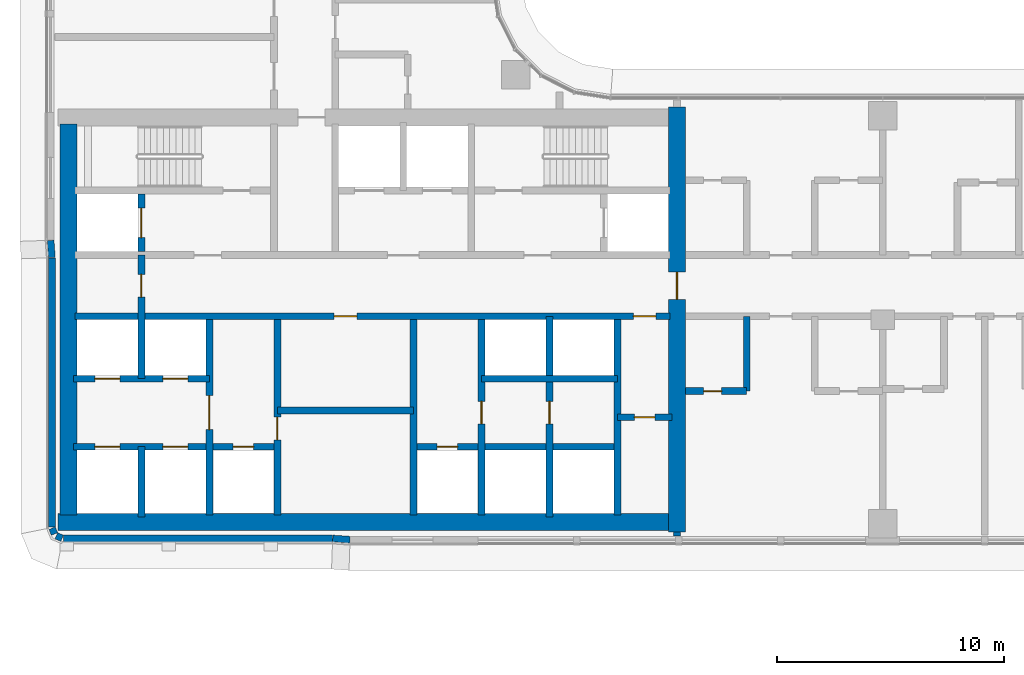
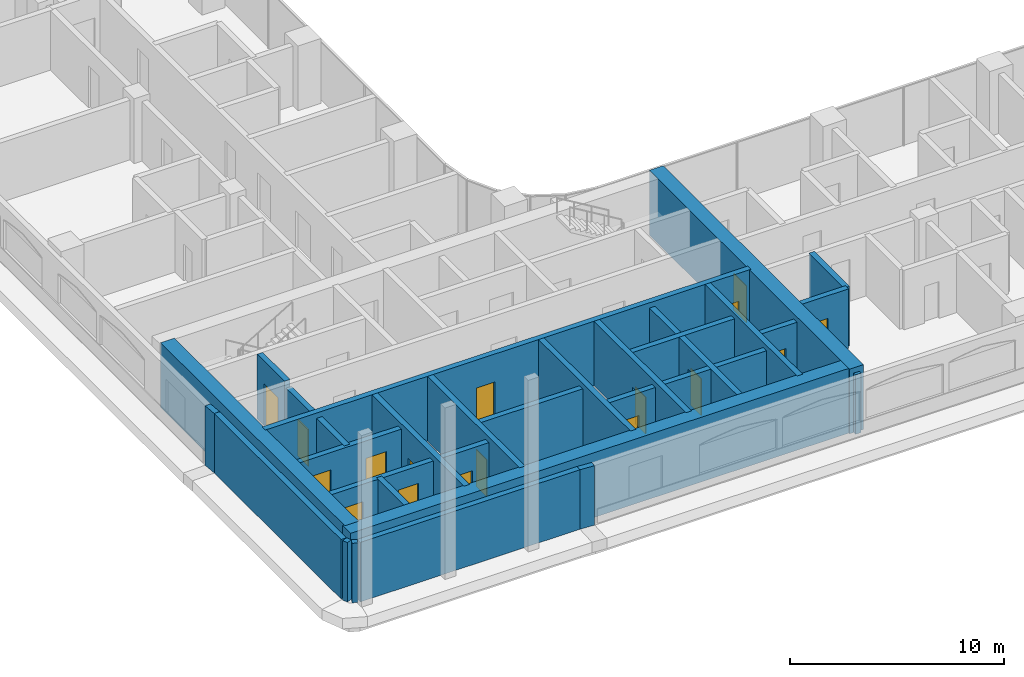
# One storey, part 20 of 40: 28 walls, 17 doors, 17 openings.
"""IFC4 building model written with IfcOpenShell, lengths in metres."""

from ifc_helpers import new_model, si_unit, direction, frame, frame_2d, origin, place, context, subcontext, project, spatial, rectangle, extrude, material, layer, layer_set, type_object, element, fill, save


model = new_model("IFC4")

# Units and contexts
model_context = context("Model", 3, precision=1e-05, world=origin(), true_north=direction((0.0, 1.0)))
body_context = subcontext(model_context, "Body", "Model", "MODEL_VIEW")
ifc_project = project(units=[si_unit("LENGTHUNIT", "METRE"), si_unit("AREAUNIT", "SQUARE_METRE"), si_unit("VOLUMEUNIT", "CUBIC_METRE"), si_unit("PLANEANGLEUNIT", "RADIAN"), si_unit("MASSUNIT", "GRAM", prefix="KILO")], contexts=[model_context])

# Site, building, storey
site_placement = place(None, origin())
site = spatial("IfcSite", under=ifc_project, at=site_placement, CompositionType="ELEMENT")
building_placement = place(site_placement, origin())
building = spatial("IfcBuilding", under=site, at=building_placement, Name="Ogive Portal Towers", CompositionType="ELEMENT")
storey_placement = place(building_placement, frame((0.0, 0.0, 87.10009765625)))
storey = spatial("IfcBuildingStorey", under=building, at=storey_placement, Name="L20", CompositionType="ELEMENT", Elevation=87.10009765625)

# Wall, opening, door
ifc_material_1 = material(Name="Concrete C60/75", Category="concrete")
ifc_layer_1 = layer(ifc_material_1, 0.300048828125)
ifc_layer_set_1 = layer_set([ifc_layer_1], Name="CORE WALL 300 C60")
wall_type_1 = type_object("IfcWallType", Name="CORE WALL 300 C60", PredefinedType="SHEAR", material=ifc_layer_set_1)
wall_1_placement = place(storey_placement, frame((37.800048828125, 21.875, 0.0), z_axis=(0.0, 0.0, 1.0), x_axis=(0.0, 1.0, 0.0)))
wall_1 = element("IfcWall", 1, at=wall_1_placement, inside=storey, type_object=wall_type_1, Name="Core wall X1 L20", PredefinedType="SHEAR", context=body_context, shape_type="SweptSolid", body=[
    extrude(rectangle(XDim=8.625, YDim=0.300048828125, at=frame_2d((4.3125, 0.0))), origin(), (0.0, 0.0, 1.0), 3.699951171875),
])
opening_1_placement = place(wall_1_placement, frame((3.77490234375, 0.0, 0.0)))
opening_1 = element("IfcOpeningElement", 2, at=opening_1_placement, cuts=wall_1, Name="Opening D07-001", PredefinedType="OPENING", context=body_context, shape_type="SweptSolid", body=[
    extrude(rectangle(XDim=1.5, YDim=2.10009765625, at=frame_2d((0.75, 1.050048828125))), frame((0.0, 0.16015625, 0.0), z_axis=(0.0, -1.0, 0.0), x_axis=(1.0, 0.0, 0.0)), (0.0, 0.0, 1.0), 0.320068359375),
])
ifc_material_2 = material(Name="Steel fire door", Category="steel")
door_type_1 = type_object("IfcDoorType", Name="DT-SWING-1500x2100-FD90S", OperationType="SINGLE_SWING_LEFT", PredefinedType="DOOR", material=ifc_material_2)
door_1_placement = place(opening_1_placement, origin())
door_1 = element("IfcDoor", 3, at=door_1_placement, inside=storey, type_object=door_type_1, Name="Door D07-001", OperationType="SINGLE_SWING_LEFT", OverallHeight=2.10009765625, OverallWidth=1.5, PredefinedType="DOOR", context=body_context, shape_type="SweptSolid", body=[
    extrude(rectangle(XDim=1.5, YDim=2.10009765625, at=frame_2d((0.75, 1.050048828125))), frame((0.0, 0.02490234375, 0.0), z_axis=(0.0, -1.0, 0.0), x_axis=(1.0, 0.0, 0.0)), (0.0, 0.0, 1.0), 0.050048828125),
])
fill(opening_1, door_1)

wall_2_placement = place(storey_placement, frame((40.800048828125, 21.875, 0.0), z_axis=(0.0, 0.0, 1.0), x_axis=(0.0, 1.0, 0.0)))
wall_2 = element("IfcWall", 4, at=wall_2_placement, inside=storey, type_object=wall_type_1, Name="Core wall X2 L20", PredefinedType="SHEAR", context=body_context, shape_type="SweptSolid", body=[
    extrude(rectangle(XDim=8.625, YDim=0.300048828125, at=frame_2d((4.3125, 0.0))), origin(), (0.0, 0.0, 1.0), 3.699951171875),
])
opening_2_placement = place(wall_2_placement, frame((3.324951171875, 0.0, 0.0)))
opening_2 = element("IfcOpeningElement", 5, at=opening_2_placement, cuts=wall_2, Name="Opening D07-022", PredefinedType="OPENING", context=body_context, shape_type="SweptSolid", body=[
    extrude(rectangle(XDim=1.0, YDim=2.10009765625, at=frame_2d((0.5, 1.050048828125))), frame((0.0, 0.16015625, 0.0), z_axis=(0.0, -1.0, 0.0), x_axis=(1.0, 0.0, 0.0)), (0.0, 0.0, 1.0), 0.320068359375),
])
door_type_2 = type_object("IfcDoorType", Name="DT-SWING-1000x2100-FD90S", OperationType="SINGLE_SWING_LEFT", PredefinedType="DOOR", material=ifc_material_2)
door_2_placement = place(opening_2_placement, origin())
door_2 = element("IfcDoor", 6, at=door_2_placement, inside=storey, type_object=door_type_2, Name="Door D07-022", OperationType="SINGLE_SWING_RIGHT", OverallHeight=2.10009765625, OverallWidth=1.0, PredefinedType="DOOR", context=body_context, shape_type="SweptSolid", body=[
    extrude(rectangle(XDim=1.0, YDim=2.10009765625, at=frame_2d((0.5, 1.050048828125))), frame((0.0, 0.02490234375, 0.0), z_axis=(0.0, -1.0, 0.0), x_axis=(1.0, 0.0, 0.0)), (0.0, 0.0, 1.0), 0.050048828125),
])
fill(opening_2, door_2)

# Wall
wall_3_placement = place(storey_placement, frame((46.800048828125, 21.875, 0.0), z_axis=(0.0, 0.0, 1.0), x_axis=(0.0, 1.0, 0.0)))
element("IfcWall", 7, at=wall_3_placement, inside=storey, type_object=wall_type_1, Name="Core wall X3 L20", PredefinedType="SHEAR", context=body_context, shape_type="SweptSolid", body=[
    extrude(rectangle(XDim=8.625, YDim=0.300048828125, at=frame_2d((4.3125, 0.0))), origin(), (0.0, 0.0, 1.0), 3.699951171875),
])

# Wall, opening, door
wall_4_placement = place(storey_placement, frame((49.800048828125, 21.875, 0.0), z_axis=(0.0, 0.0, 1.0), x_axis=(0.0, 1.0, 0.0)))
wall_4 = element("IfcWall", 8, at=wall_4_placement, inside=storey, type_object=wall_type_1, Name="Core wall X4 L20", PredefinedType="SHEAR", context=body_context, shape_type="SweptSolid", body=[
    extrude(rectangle(XDim=8.625, YDim=0.300048828125, at=frame_2d((4.3125, 0.0))), origin(), (0.0, 0.0, 1.0), 3.699951171875),
])
opening_3_placement = place(wall_4_placement, frame((4.02490234375, 0.0, 0.0)))
opening_3 = element("IfcOpeningElement", 9, at=opening_3_placement, cuts=wall_4, Name="Opening D07-023", PredefinedType="OPENING", context=body_context, shape_type="SweptSolid", body=[
    extrude(rectangle(XDim=1.0, YDim=2.10009765625, at=frame_2d((0.5, 1.050048828125))), frame((0.0, 0.16015625, 0.0), z_axis=(0.0, -1.0, 0.0), x_axis=(1.0, 0.0, 0.0)), (0.0, 0.0, 1.0), 0.320068359375),
])
door_3_placement = place(opening_3_placement, origin())
door_3 = element("IfcDoor", 10, at=door_3_placement, inside=storey, type_object=door_type_2, Name="Door D07-023", OperationType="SINGLE_SWING_LEFT", OverallHeight=2.10009765625, OverallWidth=1.0, PredefinedType="DOOR", context=body_context, shape_type="SweptSolid", body=[
    extrude(rectangle(XDim=1.0, YDim=2.10009765625, at=frame_2d((0.5, 1.050048828125))), frame((0.0, 0.02490234375, 0.0), z_axis=(0.0, -1.0, 0.0), x_axis=(1.0, 0.0, 0.0)), (0.0, 0.0, 1.0), 0.050048828125),
])
fill(opening_3, door_3)

# Wall
wall_5_placement = place(storey_placement, frame((55.800048828125, 21.875, 0.0), z_axis=(0.0, 0.0, 1.0), x_axis=(0.0, 1.0, 0.0)))
element("IfcWall", 11, at=wall_5_placement, inside=storey, type_object=wall_type_1, Name="Core wall X5 L20", PredefinedType="SHEAR", context=body_context, shape_type="SweptSolid", body=[
    extrude(rectangle(XDim=8.625, YDim=0.300048828125, at=frame_2d((4.3125, 0.0))), origin(), (0.0, 0.0, 1.0), 3.699951171875),
])

# Wall, openings, doors
wall_6_placement = place(storey_placement, frame((31.875, 30.64990234375, 0.0), z_axis=(0.0, 0.0, 1.0), x_axis=(1.0, 0.0, 0.0)))
wall_6 = element("IfcWall", 12, at=wall_6_placement, inside=storey, type_object=wall_type_1, Name="Core wall Y1 L20", PredefinedType="SHEAR", context=body_context, shape_type="SweptSolid", body=[
    extrude(rectangle(XDim=26.25, YDim=0.300048828125, at=frame_2d((13.125, 0.0))), origin(), (0.0, 0.0, 1.0), 3.699951171875),
])
opening_4_placement = place(wall_6_placement, frame((24.625, 0.0, 0.0)))
opening_4 = element("IfcOpeningElement", 13, at=opening_4_placement, cuts=wall_6, Name="Opening D07-009", PredefinedType="OPENING", context=body_context, shape_type="SweptSolid", body=[
    extrude(rectangle(XDim=1.0, YDim=2.10009765625, at=frame_2d((0.5, 1.050048828125))), frame((0.0, 0.16015625, 0.0), z_axis=(0.0, -1.0, 0.0), x_axis=(1.0, 0.0, 0.0)), (0.0, 0.0, 1.0), 0.320068359375),
])
opening_5_placement = place(wall_6_placement, frame((11.425048828125, 0.0, 0.0)))
opening_5 = element("IfcOpeningElement", 14, at=opening_5_placement, cuts=wall_6, Name="Opening D07-021", PredefinedType="OPENING", context=body_context, shape_type="SweptSolid", body=[
    extrude(rectangle(XDim=1.0, YDim=2.10009765625, at=frame_2d((0.5, 1.050048828125))), frame((0.0, 0.16015625, 0.0), z_axis=(0.0, -1.0, 0.0), x_axis=(1.0, 0.0, 0.0)), (0.0, 0.0, 1.0), 0.320068359375),
])
door_4_placement = place(opening_4_placement, origin())
door_4 = element("IfcDoor", 15, at=door_4_placement, inside=storey, type_object=door_type_2, Name="Door D07-009", OperationType="SINGLE_SWING_LEFT", OverallHeight=2.10009765625, OverallWidth=1.0, PredefinedType="DOOR", context=body_context, shape_type="SweptSolid", body=[
    extrude(rectangle(XDim=1.0, YDim=2.10009765625, at=frame_2d((0.5, 1.050048828125))), frame((0.0, 0.02490234375, 0.0), z_axis=(0.0, -1.0, 0.0), x_axis=(1.0, 0.0, 0.0)), (0.0, 0.0, 1.0), 0.050048828125),
])
fill(opening_4, door_4)
door_5_placement = place(opening_5_placement, origin())
door_5 = element("IfcDoor", 16, at=door_5_placement, inside=storey, type_object=door_type_2, Name="Door D07-021", OperationType="SINGLE_SWING_LEFT", OverallHeight=2.10009765625, OverallWidth=1.0, PredefinedType="DOOR", context=body_context, shape_type="SweptSolid", body=[
    extrude(rectangle(XDim=1.0, YDim=2.10009765625, at=frame_2d((0.5, 1.050048828125))), frame((0.0, 0.02490234375, 0.0), z_axis=(0.0, -1.0, 0.0), x_axis=(1.0, 0.0, 0.0)), (0.0, 0.0, 1.0), 0.050048828125),
])
fill(opening_5, door_5)

# Wall, opening, door
wall_7_placement = place(storey_placement, frame((34.800048828125, 33.5, 0.0), z_axis=(0.0, 0.0, 1.0), x_axis=(0.0, 1.0, 0.0)))
wall_7 = element("IfcWall", 17, at=wall_7_placement, inside=storey, type_object=wall_type_1, Name="Core wall X8 L20", PredefinedType="SHEAR", context=body_context, shape_type="SweptSolid", body=[
    extrude(rectangle(XDim=2.550048828125, YDim=0.300048828125, at=frame_2d((1.27490234375, 0.0))), origin(), (0.0, 0.0, 1.0), 3.699951171875),
])
opening_6_placement = place(wall_7_placement, frame((0.625, 0.0, 0.0)))
opening_6 = element("IfcOpeningElement", 18, at=opening_6_placement, cuts=wall_7, Name="Opening D07-019", PredefinedType="OPENING", context=body_context, shape_type="SweptSolid", body=[
    extrude(rectangle(XDim=1.300048828125, YDim=2.39990234375, at=frame_2d((0.64990234375, 1.199951171875))), frame((0.0, 0.16015625, 0.0), z_axis=(0.0, -1.0, 0.0), x_axis=(1.0, 0.0, 0.0)), (0.0, 0.0, 1.0), 0.320068359375),
])
ifc_material_3 = material(Name="Stainless steel", Category="steel")
door_type_3 = type_object("IfcDoorType", Name="DT-LD-1300x2400", OperationType="SLIDING_TO_LEFT", PredefinedType="DOOR", material=ifc_material_3)
door_6_placement = place(opening_6_placement, origin())
door_6 = element("IfcDoor", 19, at=door_6_placement, inside=storey, type_object=door_type_3, Name="Door D07-019", OperationType="SLIDING_TO_LEFT", OverallHeight=2.39990234375, OverallWidth=1.300048828125, PredefinedType="DOOR", context=body_context, shape_type="SweptSolid", body=[
    extrude(rectangle(XDim=1.300048828125, YDim=2.39990234375, at=frame_2d((0.64990234375, 1.199951171875))), frame((0.0, 0.02490234375, 0.0), z_axis=(0.0, -1.0, 0.0), x_axis=(1.0, 0.0, 0.0)), (0.0, 0.0, 1.0), 0.050048828125),
])
fill(opening_6, door_6)

# Walls
ifc_layer_2 = layer(ifc_material_1, 0.75)
ifc_layer_set_2 = layer_set([ifc_layer_2], Name="CORE WALL 750 C60")
wall_type_2 = type_object("IfcWallType", Name="CORE WALL 750 C60", PredefinedType="SHEAR", material=ifc_layer_set_2)
wall_8_placement = place(storey_placement, frame((31.574951171875, 21.875, 0.0), z_axis=(0.0, 0.0, 1.0), x_axis=(0.0, 1.0, 0.0)))
element("IfcWall", 20, at=wall_8_placement, inside=storey, type_object=wall_type_2, Name="Core wall W L20", PredefinedType="SHEAR", context=body_context, shape_type="SweptSolid", body=[
    extrude(rectangle(XDim=17.25, YDim=0.75, at=frame_2d((8.625, 0.0))), origin(), (0.0, 0.0, 1.0), 3.699951171875),
])
wall_9_placement = place(storey_placement, frame((31.125, 21.574951171875, 0.0), z_axis=(0.0, 0.0, 1.0), x_axis=(1.0, 0.0, 0.0)))
element("IfcWall", 21, at=wall_9_placement, inside=storey, type_object=wall_type_2, Name="Core wall S L20", PredefinedType="SHEAR", context=body_context, shape_type="SweptSolid", body=[
    extrude(rectangle(XDim=27.0, YDim=0.75, at=frame_2d((13.5, 0.0))), origin(), (0.0, 0.0, 1.0), 3.699951171875),
])

# Wall, opening, door
wall_10_placement = place(storey_placement, frame((58.425048828125, 21.125, 0.0), z_axis=(0.0, 0.0, 1.0), x_axis=(0.0, 1.0, 0.0)))
wall_10 = element("IfcWall", 22, at=wall_10_placement, inside=storey, type_object=wall_type_2, Name="Core wall E L20", PredefinedType="SHEAR", context=body_context, shape_type="SweptSolid", body=[
    extrude(rectangle(XDim=18.75, YDim=0.75, at=frame_2d((9.375, 0.0))), origin(), (0.0, 0.0, 1.0), 3.699951171875),
])
opening_7_placement = place(wall_10_placement, frame((10.27490234375, 0.0, 0.0)))
opening_7 = element("IfcOpeningElement", 23, at=opening_7_placement, cuts=wall_10, Name="Opening D07-011", PredefinedType="OPENING", context=body_context, shape_type="SweptSolid", body=[
    extrude(rectangle(XDim=1.199951171875, YDim=2.10009765625, at=frame_2d((0.60009765625, 1.050048828125))), frame((0.0, 0.385009765625, 0.0), z_axis=(0.0, -1.0, 0.0), x_axis=(1.0, 0.0, 0.0)), (0.0, 0.0, 1.0), 0.77001953125),
])
door_type_4 = type_object("IfcDoorType", Name="DT-SWING-1200x2100-FD90S", OperationType="SINGLE_SWING_LEFT", PredefinedType="DOOR", material=ifc_material_2)
door_7_placement = place(opening_7_placement, origin())
door_7 = element("IfcDoor", 24, at=door_7_placement, inside=storey, type_object=door_type_4, Name="Door D07-011", OperationType="SINGLE_SWING_LEFT", OverallHeight=2.10009765625, OverallWidth=1.199951171875, PredefinedType="DOOR", context=body_context, shape_type="SweptSolid", body=[
    extrude(rectangle(XDim=1.199951171875, YDim=2.10009765625, at=frame_2d((0.60009765625, 1.050048828125))), frame((0.0, 0.02490234375, 0.0), z_axis=(0.0, -1.0, 0.0), x_axis=(1.0, 0.0, 0.0)), (0.0, 0.0, 1.0), 0.050048828125),
])
fill(opening_7, door_7)

# Walls
ifc_material_4 = material(Name="Limestone cladding on lightweight block wall", Category="masonry")
ifc_layer_3 = layer(ifc_material_4, 0.300048828125)
ifc_layer_set_3 = layer_set([ifc_layer_3], Name="EXTERNAL WALL 300 STONE")
wall_type_3 = type_object("IfcWallType", Name="EXTERNAL WALL 300 STONE", PredefinedType="SOLIDWALL", material=ifc_layer_set_3)
wall_11_placement = place(storey_placement, frame((30.85009765625, 33.23095703125, 0.0), z_axis=(0.0, 0.0, 1.0), x_axis=(0.0, -1.0, 0.0)))
element("IfcWall", 25, at=wall_11_placement, inside=storey, type_object=wall_type_3, Name="A:L20:f00:r0:wall", PredefinedType="SOLIDWALL", context=body_context, shape_type="SweptSolid", body=[
    extrude(rectangle(XDim=11.871337890625, YDim=0.300048828125, at=frame_2d((5.935546875, 0.0))), origin(), (0.0, 0.0, 1.0), 3.39990234375),
])
for number, where, z_axis, x_axis, name in (
    (26, (30.861328125, 21.30224609375, 0.0), (0.0, 0.0, 1.0), (0.38297812142, -0.923757413239, 0.0), "A:L20:f01:r0:wall"),
    (27, (31.0478515625, 20.966796875, 0.0), (0.0, 0.0, 1.0), (0.923757413239, -0.38297812142, 0.0), "A:L20:f02:r0:wall"),
):
    element("IfcWall", number, at=place(storey_placement, frame(where, z_axis=z_axis, x_axis=x_axis)), inside=storey, type_object=wall_type_3, Name=name, PredefinedType="SOLIDWALL", context=body_context, shape_type="SweptSolid", body=[
        extrude(rectangle(XDim=0.275390625, YDim=0.300048828125, at=frame_2d((0.1376953125, 0.0))), origin(), (0.0, 0.0, 1.0), 3.39990234375),
    ])
wall_12_placement = place(storey_placement, frame((31.359619140625, 20.85009765625, 0.0), z_axis=(0.0, 0.0, 1.0), x_axis=(1.0, 0.0, 0.0)))
element("IfcWall", 28, at=wall_12_placement, inside=storey, type_object=wall_type_3, Name="A:L20:f03:r0:wall", PredefinedType="SOLIDWALL", context=body_context, shape_type="SweptSolid", body=[
    extrude(rectangle(XDim=11.871337890625, YDim=0.300048828125, at=frame_2d((5.935546875, 0.0))), origin(), (0.0, 0.0, 1.0), 3.39990234375),
])
for number, where, z_axis, x_axis, name in (
    (29, (43.24169921875, 20.849609375, 0.0), (0.0, 0.0, 1.0), (0.997455438499, -0.07129269393, 0.0), "A:L20:f04:r0:wall"),
    (30, (30.79541015625, 34.0, 0.0), (0.0, 0.0, 1.0), (0.07129269393, -0.997455438499, 0.0), "A:L20:f25:r0:wall"),
):
    element("IfcWall", number, at=place(storey_placement, frame(where, z_axis=z_axis, x_axis=x_axis)), inside=storey, type_object=wall_type_3, Name=name, PredefinedType="SOLIDWALL", context=body_context, shape_type="SweptSolid", body=[
        extrude(rectangle(XDim=0.76025390625, YDim=0.300048828125, at=frame_2d((0.380126953125, 0.0))), origin(), (0.0, 0.0, 1.0), 3.39990234375),
    ])

# Wall, opening, door
ifc_material_5 = material(Name="Gypsum board partition on steel studs", Category="steel")
ifc_layer_4 = layer(ifc_material_5, 0.300048828125)
ifc_layer_set_4 = layer_set([ifc_layer_4], Name="WT-PART-300")
wall_type_4 = type_object("IfcWallType", Name="WT-PART-300", PredefinedType="PARTITIONING", material=ifc_layer_set_4)
wall_13_placement = place(storey_placement, frame((55.800048828125, 26.199951171875, 0.0), z_axis=(0.0, 0.0, 1.0), x_axis=(1.0, 0.0, 0.0)))
wall_13 = element("IfcWall", 31, at=wall_13_placement, inside=storey, type_object=wall_type_4, Name="Wall pw:003:L20", PredefinedType="PARTITIONING", context=body_context, shape_type="SweptSolid", body=[
    extrude(rectangle(XDim=2.39990234375, YDim=0.300048828125, at=frame_2d((1.199951171875, 0.0))), origin(), (0.0, 0.0, 1.0), 3.39990234375),
])
opening_8_placement = place(wall_13_placement, frame((0.75, 0.0, 0.0)))
opening_8 = element("IfcOpeningElement", 32, at=opening_8_placement, cuts=wall_13, Name="Opening D07-010", PredefinedType="OPENING", context=body_context, shape_type="SweptSolid", body=[
    extrude(rectangle(XDim=0.89990234375, YDim=2.10009765625, at=frame_2d((0.449951171875, 1.050048828125))), frame((0.0, 0.16015625, 0.0), z_axis=(0.0, -1.0, 0.0), x_axis=(1.0, 0.0, 0.0)), (0.0, 0.0, 1.0), 0.320068359375),
])
door_type_5 = type_object("IfcDoorType", Name="DT-SWING-900x2100-FD60S", OperationType="SINGLE_SWING_LEFT", PredefinedType="DOOR", material=ifc_material_2)
door_8_placement = place(opening_8_placement, origin())
door_8 = element("IfcDoor", 33, at=door_8_placement, inside=storey, type_object=door_type_5, Name="Door D07-010", OperationType="SINGLE_SWING_RIGHT", OverallHeight=2.10009765625, OverallWidth=0.89990234375, PredefinedType="DOOR", context=body_context, shape_type="SweptSolid", body=[
    extrude(rectangle(XDim=0.89990234375, YDim=2.10009765625, at=frame_2d((0.449951171875, 1.050048828125))), frame((0.0, 0.02490234375, 0.0), z_axis=(0.0, -1.0, 0.0), x_axis=(1.0, 0.0, 0.0)), (0.0, 0.0, 1.0), 0.050048828125),
])
fill(opening_8, door_8)

# Walls
wall_14_placement = place(storey_placement, frame((40.800048828125, 26.5, 0.0), z_axis=(0.0, 0.0, 1.0), x_axis=(1.0, 0.0, 0.0)))
element("IfcWall", 34, at=wall_14_placement, inside=storey, type_object=wall_type_4, Name="Wall pw:004:L20", PredefinedType="PARTITIONING", context=body_context, shape_type="SweptSolid", body=[
    extrude(rectangle(XDim=6.0, YDim=0.300048828125, at=frame_2d((3.0, 0.0))), origin(), (0.0, 0.0, 1.0), 3.39990234375),
])
ifc_layer_5 = layer(ifc_material_5, 0.300048828125)
ifc_layer_set_5 = layer_set([ifc_layer_5], Name="WT-PART-300-EI 120")
wall_type_5 = type_object("IfcWallType", Name="WT-PART-300-EI 120", PredefinedType="PARTITIONING", material=ifc_layer_set_5)
wall_15_placement = place(storey_placement, frame((58.425048828125, 21.125, 0.0), z_axis=(0.0, 0.0, 1.0), x_axis=(0.0, -1.0, 0.0)))
element("IfcWall", 35, at=wall_15_placement, inside=storey, type_object=wall_type_5, Name="Wall L20:wc01", PredefinedType="PARTITIONING", context=body_context, shape_type="SweptSolid", body=[
    extrude(rectangle(XDim=0.169921875, YDim=0.300048828125, at=frame_2d((0.0849609375, 0.0))), origin(), (0.0, 0.0, 1.0), 3.39990234375),
])

# Wall, opening, door
ifc_layer_6 = layer(ifc_material_5, 0.300048828125)
ifc_layer_set_6 = layer_set([ifc_layer_6], Name="WT-PART-300-EI 60")
wall_type_6 = type_object("IfcWallType", Name="WT-PART-300-EI 60", PredefinedType="PARTITIONING", material=ifc_layer_set_6)
wall_16_placement = place(storey_placement, frame((58.800048828125, 27.35009765625, 0.0), z_axis=(0.0, 0.0, 1.0), x_axis=(1.0, 0.0, 0.0)))
wall_16 = element("IfcWall", 36, at=wall_16_placement, inside=storey, type_object=wall_type_6, Name="Wall L20:w002", PredefinedType="PARTITIONING", context=body_context, shape_type="SweptSolid", body=[
    extrude(rectangle(XDim=2.699951171875, YDim=0.300048828125, at=frame_2d((1.35009765625, 0.0))), origin(), (0.0, 0.0, 1.0), 3.39990234375),
])
opening_9_placement = place(wall_16_placement, frame((0.800048828125, 0.0, 0.0)))
opening_9 = element("IfcOpeningElement", 37, at=opening_9_placement, cuts=wall_16, Name="Opening D07-029", PredefinedType="OPENING", context=body_context, shape_type="SweptSolid", body=[
    extrude(rectangle(XDim=0.800048828125, YDim=2.10009765625, at=frame_2d((0.39990234375, 1.050048828125))), frame((0.0, 0.16015625, 0.0), z_axis=(0.0, -1.0, 0.0), x_axis=(1.0, 0.0, 0.0)), (0.0, 0.0, 1.0), 0.320068359375),
])
door_type_6 = type_object("IfcDoorType", Name="DT-BATH-800x2100-FD60S", OperationType="SINGLE_SWING_LEFT", PredefinedType="DOOR", material=ifc_material_2)
door_9_placement = place(opening_9_placement, origin())
door_9 = element("IfcDoor", 38, at=door_9_placement, inside=storey, type_object=door_type_6, Name="Door D07-029", OperationType="SINGLE_SWING_LEFT", OverallHeight=2.10009765625, OverallWidth=0.800048828125, PredefinedType="DOOR", context=body_context, shape_type="SweptSolid", body=[
    extrude(rectangle(XDim=0.800048828125, YDim=2.10009765625, at=frame_2d((0.39990234375, 1.050048828125))), frame((0.0, 0.02490234375, 0.0), z_axis=(0.0, -1.0, 0.0), x_axis=(1.0, 0.0, 0.0)), (0.0, 0.0, 1.0), 0.050048828125),
])
fill(opening_9, door_9)

# Wall
wall_17_placement = place(storey_placement, frame((61.5, 27.35009765625, 0.0), z_axis=(0.0, 0.0, 1.0), x_axis=(0.0, 1.0, 0.0)))
element("IfcWall", 39, at=wall_17_placement, inside=storey, type_object=wall_type_6, Name="Wall L20:w044", PredefinedType="PARTITIONING", context=body_context, shape_type="SweptSolid", body=[
    extrude(rectangle(XDim=3.2998046875, YDim=0.300048828125, at=frame_2d((1.64990234375, 0.0))), origin(), (0.0, 0.0, 1.0), 3.39990234375),
])

# Wall, openings, doors
ifc_material_6 = material(Name="Concrete C40/50", Category="concrete")
ifc_layer_7 = layer(ifc_material_6, 0.300048828125)
ifc_layer_set_7 = layer_set([ifc_layer_7], Name="WT-SHAFT-300")
wall_type_7 = type_object("IfcWallType", Name="WT-SHAFT-300", PredefinedType="SOLIDWALL", material=ifc_layer_set_7)
wall_18_placement = place(storey_placement, frame((31.800048828125, 24.89990234375, 0.0), z_axis=(0.0, 0.0, 1.0), x_axis=(1.0, 0.0, 0.0)))
wall_18 = element("IfcWall", 40, at=wall_18_placement, inside=storey, type_object=wall_type_7, Name="Wall pw:001:L20", PredefinedType="SOLIDWALL", context=body_context, shape_type="SweptSolid", body=[
    extrude(rectangle(XDim=9.0, YDim=0.300048828125, at=frame_2d((4.5, 0.0))), origin(), (0.0, 0.0, 1.0), 3.39990234375),
])
opening_10_placement = place(wall_18_placement, frame((7.050048828125, 0.0, 0.0)))
opening_10 = element("IfcOpeningElement", 41, at=opening_10_placement, cuts=wall_18, Name="Opening D07-007", PredefinedType="OPENING", context=body_context, shape_type="SweptSolid", body=[
    extrude(rectangle(XDim=0.89990234375, YDim=2.10009765625, at=frame_2d((0.449951171875, 1.050048828125))), frame((0.0, 0.16015625, 0.0), z_axis=(0.0, -1.0, 0.0), x_axis=(1.0, 0.0, 0.0)), (0.0, 0.0, 1.0), 0.320068359375),
])
opening_11_placement = place(wall_18_placement, frame((0.949951171875, 0.0, 0.0)))
opening_11 = element("IfcOpeningElement", 42, at=opening_11_placement, cuts=wall_18, Name="Opening D07-013", PredefinedType="OPENING", context=body_context, shape_type="SweptSolid", body=[
    extrude(rectangle(XDim=1.10009765625, YDim=2.39990234375, at=frame_2d((0.550048828125, 1.199951171875))), frame((0.0, 0.16015625, 0.0), z_axis=(0.0, -1.0, 0.0), x_axis=(1.0, 0.0, 0.0)), (0.0, 0.0, 1.0), 0.320068359375),
])
opening_12_placement = place(wall_18_placement, frame((3.949951171875, 0.0, 0.0)))
opening_12 = element("IfcOpeningElement", 43, at=opening_12_placement, cuts=wall_18, Name="Opening D07-014", PredefinedType="OPENING", context=body_context, shape_type="SweptSolid", body=[
    extrude(rectangle(XDim=1.10009765625, YDim=2.39990234375, at=frame_2d((0.550048828125, 1.199951171875))), frame((0.0, 0.16015625, 0.0), z_axis=(0.0, -1.0, 0.0), x_axis=(1.0, 0.0, 0.0)), (0.0, 0.0, 1.0), 0.320068359375),
])
door_type_7 = type_object("IfcDoorType", Name="DT-LD-1100x2400", OperationType="SLIDING_TO_LEFT", PredefinedType="DOOR", material=ifc_material_3)
door_10_placement = place(opening_11_placement, origin())
door_10 = element("IfcDoor", 44, at=door_10_placement, inside=storey, type_object=door_type_7, Name="Door D07-013", OperationType="SLIDING_TO_LEFT", OverallHeight=2.39990234375, OverallWidth=1.10009765625, PredefinedType="DOOR", context=body_context, shape_type="SweptSolid", body=[
    extrude(rectangle(XDim=1.10009765625, YDim=2.39990234375, at=frame_2d((0.550048828125, 1.199951171875))), frame((0.0, 0.02490234375, 0.0), z_axis=(0.0, -1.0, 0.0), x_axis=(1.0, 0.0, 0.0)), (0.0, 0.0, 1.0), 0.050048828125),
])
fill(opening_11, door_10)
door_11_placement = place(opening_12_placement, origin())
door_11 = element("IfcDoor", 45, at=door_11_placement, inside=storey, type_object=door_type_7, Name="Door D07-014", OperationType="SLIDING_TO_LEFT", OverallHeight=2.39990234375, OverallWidth=1.10009765625, PredefinedType="DOOR", context=body_context, shape_type="SweptSolid", body=[
    extrude(rectangle(XDim=1.10009765625, YDim=2.39990234375, at=frame_2d((0.550048828125, 1.199951171875))), frame((0.0, 0.02490234375, 0.0), z_axis=(0.0, -1.0, 0.0), x_axis=(1.0, 0.0, 0.0)), (0.0, 0.0, 1.0), 0.050048828125),
])
fill(opening_12, door_11)
door_type_8 = type_object("IfcDoorType", Name="DT-SWING-900x2100-FD90S", OperationType="SINGLE_SWING_LEFT", PredefinedType="DOOR", material=ifc_material_2)
door_12_placement = place(opening_10_placement, origin())
door_12 = element("IfcDoor", 46, at=door_12_placement, inside=storey, type_object=door_type_8, Name="Riser access door D07-007", OperationType="SINGLE_SWING_LEFT", OverallHeight=2.10009765625, OverallWidth=0.89990234375, PredefinedType="DOOR", context=body_context, shape_type="SweptSolid", body=[
    extrude(rectangle(XDim=0.89990234375, YDim=2.10009765625, at=frame_2d((0.449951171875, 1.050048828125))), frame((0.0, 0.02490234375, 0.0), z_axis=(0.0, -1.0, 0.0), x_axis=(1.0, 0.0, 0.0)), (0.0, 0.0, 1.0), 0.050048828125),
])
fill(opening_10, door_12)

# Wall, opening, door
wall_19_placement = place(storey_placement, frame((46.800048828125, 24.89990234375, 0.0), z_axis=(0.0, 0.0, 1.0), x_axis=(1.0, 0.0, 0.0)))
wall_19 = element("IfcWall", 47, at=wall_19_placement, inside=storey, type_object=wall_type_7, Name="Wall pw:002:L20", PredefinedType="SOLIDWALL", context=body_context, shape_type="SweptSolid", body=[
    extrude(rectangle(XDim=9.0, YDim=0.300048828125, at=frame_2d((4.5, 0.0))), origin(), (0.0, 0.0, 1.0), 3.39990234375),
])
opening_13_placement = place(wall_19_placement, frame((1.050048828125, 0.0, 0.0)))
opening_13 = element("IfcOpeningElement", 48, at=opening_13_placement, cuts=wall_19, Name="Opening D07-008", PredefinedType="OPENING", context=body_context, shape_type="SweptSolid", body=[
    extrude(rectangle(XDim=0.89990234375, YDim=2.10009765625, at=frame_2d((0.449951171875, 1.050048828125))), frame((0.0, 0.16015625, 0.0), z_axis=(0.0, -1.0, 0.0), x_axis=(1.0, 0.0, 0.0)), (0.0, 0.0, 1.0), 0.320068359375),
])
door_13_placement = place(opening_13_placement, origin())
door_13 = element("IfcDoor", 49, at=door_13_placement, inside=storey, type_object=door_type_8, Name="Riser access door D07-008", OperationType="SINGLE_SWING_RIGHT", OverallHeight=2.10009765625, OverallWidth=0.89990234375, PredefinedType="DOOR", context=body_context, shape_type="SweptSolid", body=[
    extrude(rectangle(XDim=0.89990234375, YDim=2.10009765625, at=frame_2d((0.449951171875, 1.050048828125))), frame((0.0, 0.02490234375, 0.0), z_axis=(0.0, -1.0, 0.0), x_axis=(1.0, 0.0, 0.0)), (0.0, 0.0, 1.0), 0.050048828125),
])
fill(opening_13, door_13)

# Wall, openings, doors
wall_20_placement = place(storey_placement, frame((31.800048828125, 27.89990234375, 0.0), z_axis=(0.0, 0.0, 1.0), x_axis=(1.0, 0.0, 0.0)))
wall_20 = element("IfcWall", 50, at=wall_20_placement, inside=storey, type_object=wall_type_7, Name="Wall pw:005:L20", PredefinedType="SOLIDWALL", context=body_context, shape_type="SweptSolid", body=[
    extrude(rectangle(XDim=6.0, YDim=0.300048828125, at=frame_2d((3.0, 0.0))), origin(), (0.0, 0.0, 1.0), 3.39990234375),
])
opening_14_placement = place(wall_20_placement, frame((0.949951171875, 0.0, 0.0)))
opening_14 = element("IfcOpeningElement", 51, at=opening_14_placement, cuts=wall_20, Name="Opening D07-015", PredefinedType="OPENING", context=body_context, shape_type="SweptSolid", body=[
    extrude(rectangle(XDim=1.10009765625, YDim=2.39990234375, at=frame_2d((0.550048828125, 1.199951171875))), frame((0.0, 0.16015625, 0.0), z_axis=(0.0, -1.0, 0.0), x_axis=(1.0, 0.0, 0.0)), (0.0, 0.0, 1.0), 0.320068359375),
])
opening_15_placement = place(wall_20_placement, frame((3.949951171875, 0.0, 0.0)))
opening_15 = element("IfcOpeningElement", 52, at=opening_15_placement, cuts=wall_20, Name="Opening D07-016", PredefinedType="OPENING", context=body_context, shape_type="SweptSolid", body=[
    extrude(rectangle(XDim=1.10009765625, YDim=2.39990234375, at=frame_2d((0.550048828125, 1.199951171875))), frame((0.0, 0.16015625, 0.0), z_axis=(0.0, -1.0, 0.0), x_axis=(1.0, 0.0, 0.0)), (0.0, 0.0, 1.0), 0.320068359375),
])
door_14_placement = place(opening_14_placement, origin())
door_14 = element("IfcDoor", 53, at=door_14_placement, inside=storey, type_object=door_type_7, Name="Door D07-015", OperationType="SLIDING_TO_LEFT", OverallHeight=2.39990234375, OverallWidth=1.10009765625, PredefinedType="DOOR", context=body_context, shape_type="SweptSolid", body=[
    extrude(rectangle(XDim=1.10009765625, YDim=2.39990234375, at=frame_2d((0.550048828125, 1.199951171875))), frame((0.0, 0.02490234375, 0.0), z_axis=(0.0, -1.0, 0.0), x_axis=(1.0, 0.0, 0.0)), (0.0, 0.0, 1.0), 0.050048828125),
])
fill(opening_14, door_14)
door_15_placement = place(opening_15_placement, origin())
door_15 = element("IfcDoor", 54, at=door_15_placement, inside=storey, type_object=door_type_7, Name="Door D07-016", OperationType="SLIDING_TO_LEFT", OverallHeight=2.39990234375, OverallWidth=1.10009765625, PredefinedType="DOOR", context=body_context, shape_type="SweptSolid", body=[
    extrude(rectangle(XDim=1.10009765625, YDim=2.39990234375, at=frame_2d((0.550048828125, 1.199951171875))), frame((0.0, 0.02490234375, 0.0), z_axis=(0.0, -1.0, 0.0), x_axis=(1.0, 0.0, 0.0)), (0.0, 0.0, 1.0), 0.050048828125),
])
fill(opening_15, door_15)

# Walls
wall_21_placement = place(storey_placement, frame((49.800048828125, 27.89990234375, 0.0), z_axis=(0.0, 0.0, 1.0), x_axis=(1.0, 0.0, 0.0)))
element("IfcWall", 55, at=wall_21_placement, inside=storey, type_object=wall_type_7, Name="Wall pw:006:L20", PredefinedType="SOLIDWALL", context=body_context, shape_type="SweptSolid", body=[
    extrude(rectangle(XDim=6.0, YDim=0.300048828125, at=frame_2d((3.0, 0.0))), origin(), (0.0, 0.0, 1.0), 3.39990234375),
])
wall_22_placement = place(storey_placement, frame((34.800048828125, 21.800048828125, 0.0), z_axis=(0.0, 0.0, 1.0), x_axis=(0.0, 1.0, 0.0)))
element("IfcWall", 56, at=wall_22_placement, inside=storey, type_object=wall_type_7, Name="Wall pw:007:L20", PredefinedType="SOLIDWALL", context=body_context, shape_type="SweptSolid", body=[
    extrude(rectangle(XDim=3.099853515625, YDim=0.300048828125, at=frame_2d((1.5498046875, 0.0))), origin(), (0.0, 0.0, 1.0), 3.39990234375),
])

# Wall, opening, door
wall_23_placement = place(storey_placement, frame((34.800048828125, 27.89990234375, 0.0), z_axis=(0.0, 0.0, 1.0), x_axis=(0.0, 1.0, 0.0)))
wall_23 = element("IfcWall", 57, at=wall_23_placement, inside=storey, type_object=wall_type_7, Name="Wall pw:008:L20", PredefinedType="SOLIDWALL", context=body_context, shape_type="SweptSolid", body=[
    extrude(rectangle(XDim=5.4501953125, YDim=0.300048828125, at=frame_2d((2.72509765625, 0.0))), origin(), (0.0, 0.0, 1.0), 3.39990234375),
])
opening_16_placement = place(wall_23_placement, frame((3.60009765625, 0.0, 0.0)))
opening_16 = element("IfcOpeningElement", 58, at=opening_16_placement, cuts=wall_23, Name="Opening D07-025", PredefinedType="OPENING", context=body_context, shape_type="SweptSolid", body=[
    extrude(rectangle(XDim=1.0, YDim=2.10009765625, at=frame_2d((0.5, 1.050048828125))), frame((0.0, 0.16015625, 0.0), z_axis=(0.0, -1.0, 0.0), x_axis=(1.0, 0.0, 0.0)), (0.0, 0.0, 1.0), 0.320068359375),
])
door_16_placement = place(opening_16_placement, origin())
door_16 = element("IfcDoor", 59, at=door_16_placement, inside=storey, type_object=door_type_2, Name="Door D07-025", OperationType="SINGLE_SWING_LEFT", OverallHeight=2.10009765625, OverallWidth=1.0, PredefinedType="DOOR", context=body_context, shape_type="SweptSolid", body=[
    extrude(rectangle(XDim=1.0, YDim=2.10009765625, at=frame_2d((0.5, 1.050048828125))), frame((0.0, 0.02490234375, 0.0), z_axis=(0.0, -1.0, 0.0), x_axis=(1.0, 0.0, 0.0)), (0.0, 0.0, 1.0), 0.050048828125),
])
fill(opening_16, door_16)

wall_24_placement = place(storey_placement, frame((52.800048828125, 21.800048828125, 0.0), z_axis=(0.0, 0.0, 1.0), x_axis=(0.0, 1.0, 0.0)))
wall_24 = element("IfcWall", 60, at=wall_24_placement, inside=storey, type_object=wall_type_7, Name="Wall pw:010:L20", PredefinedType="SOLIDWALL", context=body_context, shape_type="SweptSolid", body=[
    extrude(rectangle(XDim=8.849853515625, YDim=0.300048828125, at=frame_2d((4.4248046875, 0.0))), origin(), (0.0, 0.0, 1.0), 3.39990234375),
])
opening_17_placement = place(wall_24_placement, frame((4.10009765625, 0.0, 0.0)))
opening_17 = element("IfcOpeningElement", 61, at=opening_17_placement, cuts=wall_24, Name="Opening D07-024", PredefinedType="OPENING", context=body_context, shape_type="SweptSolid", body=[
    extrude(rectangle(XDim=1.0, YDim=2.10009765625, at=frame_2d((0.5, 1.050048828125))), frame((0.0, 0.16015625, 0.0), z_axis=(0.0, -1.0, 0.0), x_axis=(1.0, 0.0, 0.0)), (0.0, 0.0, 1.0), 0.320068359375),
])
door_17_placement = place(opening_17_placement, origin())
door_17 = element("IfcDoor", 62, at=door_17_placement, inside=storey, type_object=door_type_2, Name="Door D07-024", OperationType="SINGLE_SWING_RIGHT", OverallHeight=2.10009765625, OverallWidth=1.0, PredefinedType="DOOR", context=body_context, shape_type="SweptSolid", body=[
    extrude(rectangle(XDim=1.0, YDim=2.10009765625, at=frame_2d((0.5, 1.050048828125))), frame((0.0, 0.02490234375, 0.0), z_axis=(0.0, -1.0, 0.0), x_axis=(1.0, 0.0, 0.0)), (0.0, 0.0, 1.0), 0.050048828125),
])
fill(opening_17, door_17)

save(model, "model.ifc")
